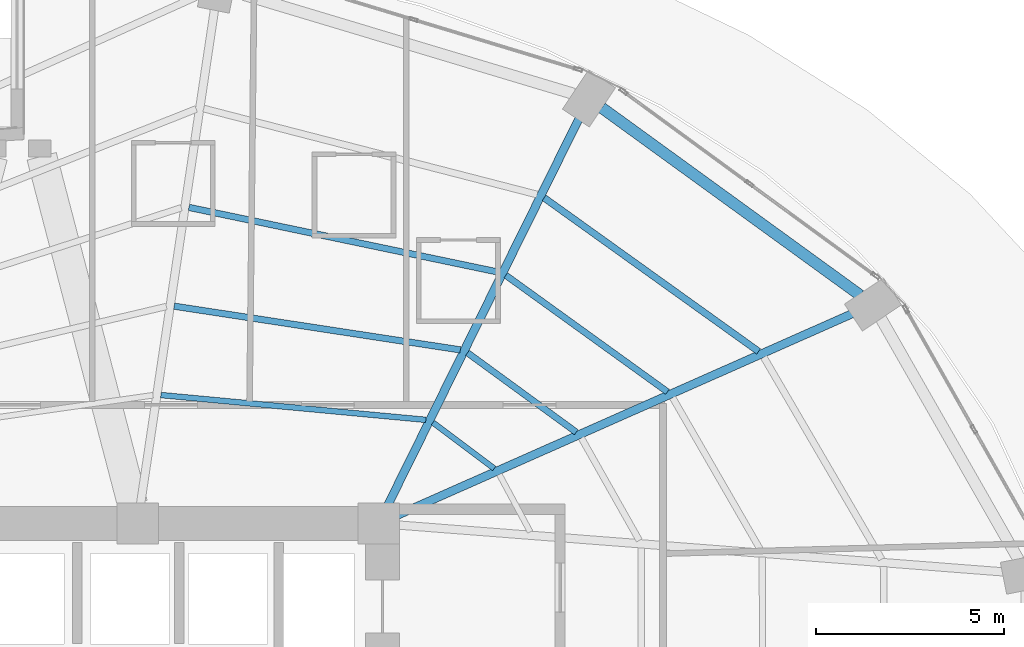
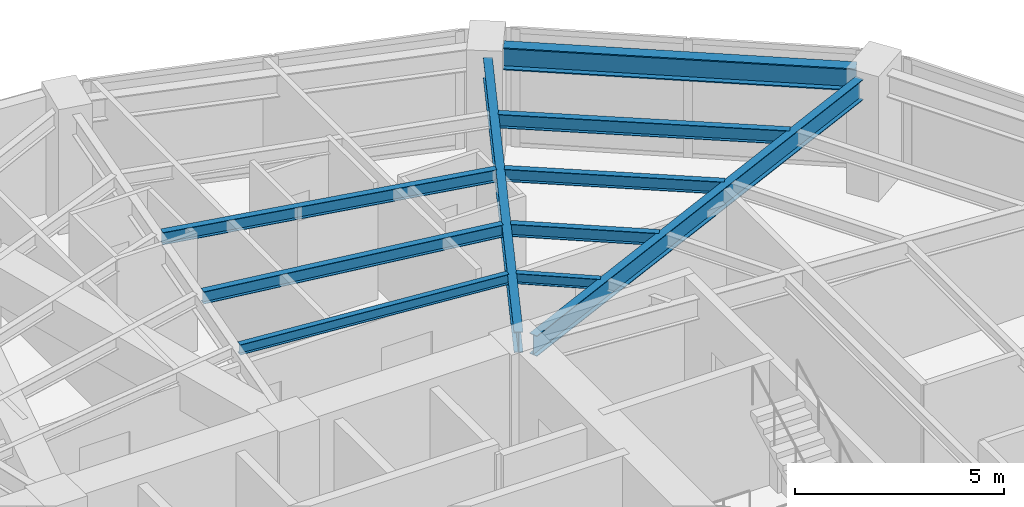
# One storey, part 16 of 25: 10 beams.
"""IFC4 building model written with IfcOpenShell, lengths in metres."""

from ifc_helpers import new_model, si_unit, direction, frame, origin, origin_2d, place, context, subcontext, project, spatial, i_section, extrude, material, material_profile, profile_set, type_object, element, save


model = new_model("IFC4")

# Units and contexts
model_context = context("Model", 3, precision=1e-05, world=origin(), true_north=direction((0.0, 1.0)))
body_context = subcontext(model_context, "Body", "Model", "MODEL_VIEW")
ifc_project = project(units=[si_unit("LENGTHUNIT", "METRE"), si_unit("AREAUNIT", "SQUARE_METRE"), si_unit("VOLUMEUNIT", "CUBIC_METRE"), si_unit("PLANEANGLEUNIT", "RADIAN"), si_unit("MASSUNIT", "GRAM", prefix="KILO")], contexts=[model_context])

# Site, building, storey
site_placement = place(None, origin())
site = spatial("IfcSite", under=ifc_project, at=site_placement, CompositionType="ELEMENT")
building_placement = place(site_placement, origin())
building = spatial("IfcBuilding", under=site, at=building_placement, Name="Lazwardi Medical Tower", CompositionType="ELEMENT")
storey_placement = place(building_placement, frame((0.0, 0.0, 25.199951171875)))
storey = spatial("IfcBuildingStorey", under=building, at=storey_placement, Name="L05", CompositionType="ELEMENT", Elevation=25.199951171875)

# Beams
ifc_material = material(Name="Steel S355", Category="steel")
ifc_material_profile_1 = material_profile(ifc_material, i_section(OverallWidth=0.300048828125, OverallDepth=0.64990234375, WebThickness=0.01611328125, FlangeThickness=0.031005859375, at=origin_2d()), Name="HEB 650")
ifc_profile_set_1 = profile_set([ifc_material_profile_1], Name="Steel S355")
beam_type_1 = type_object("IfcBeamType", Name="BM-RB-Z1", PredefinedType="BEAM", material=ifc_profile_set_1)
beam_1_placement = place(storey_placement, frame((58.3798828125, 41.660888671875, 3.10302734375), z_axis=(-0.809407079515, 0.587247971159, 0.0), x_axis=(-0.587247971159, -0.809407079515, 0.0)))
element("IfcBeam", 1, at=beam_1_placement, inside=storey, type_object=beam_type_1, Name="Ring beam RB-02 B06 L05", PredefinedType="BEAM", context=body_context, shape_type="SweptSolid", body=[
    extrude(i_section(OverallWidth=0.300048828125, OverallDepth=0.64990234375, WebThickness=0.01611328125, FlangeThickness=0.031005859375, at=origin_2d()), origin(), (0.0, 0.0, 1.0), 8.473876953125),
])
ifc_material_profile_2 = material_profile(ifc_material, i_section(OverallWidth=0.219970703125, OverallDepth=0.60009765625, WebThickness=0.011962890625, FlangeThickness=0.01904296875, at=origin_2d()), Name="IPE 600")
ifc_profile_set_2 = profile_set([ifc_material_profile_2], Name="Steel S355")
beam_type_2 = type_object("IfcBeamType", Name="BM-RG-W1", PredefinedType="BEAM", material=ifc_profile_set_2)
beam_2_placement = place(storey_placement, frame((58.189697265625, 41.17919921875, 3.1279296875), z_axis=(-0.914252189566, -0.405145571214, 0.0), x_axis=(0.405145571214, -0.914252189566, 0.0)))
element("IfcBeam", 2, at=beam_2_placement, inside=storey, type_object=beam_type_2, Name="Radial girder RG-02 R06 L05", PredefinedType="BEAM", context=body_context, shape_type="SweptSolid", body=[
    extrude(i_section(OverallWidth=0.219970703125, OverallDepth=0.60009765625, WebThickness=0.011962890625, FlangeThickness=0.01904296875, at=origin_2d()), origin(), (0.0, 0.0, 1.0), 13.235595703125),
])
beam_3_placement = place(storey_placement, frame((50.923828125, 46.364013671875, 3.1279296875), z_axis=(-0.443336723706, -0.896355146922, 0.0), x_axis=(0.896355146922, -0.443336723706, 0.0)))
element("IfcBeam", 3, at=beam_3_placement, inside=storey, type_object=beam_type_2, Name="Radial girder RG-02 R07 L05", PredefinedType="BEAM", context=body_context, shape_type="SweptSolid", body=[
    extrude(i_section(OverallWidth=0.219970703125, OverallDepth=0.60009765625, WebThickness=0.011962890625, FlangeThickness=0.01904296875, at=origin_2d()), origin(), (0.0, 0.0, 1.0), 11.4736328125),
])
ifc_material_profile_3 = material_profile(ifc_material, i_section(OverallWidth=0.179931640625, OverallDepth=0.39990234375, WebThickness=0.008544921875, FlangeThickness=0.013427734375, at=origin_2d()), Name="IPE 400")
ifc_profile_set_3 = profile_set([ifc_material_profile_3], Name="Steel S355")
beam_type_3 = type_object("IfcBeamType", Name="BM-SJ-01", PredefinedType="JOIST", material=ifc_profile_set_3)
beam_4_placement = place(storey_placement, frame((55.68408203125, 40.16796875, 3.22802734375), z_axis=(-0.812901036873, 0.582401840872, 0.0), x_axis=(-0.582401840872, -0.812901036873, 0.0)))
element("IfcBeam", 4, at=beam_4_placement, inside=storey, type_object=beam_type_3, Name="Secondary joist SJ-01 R1 B06 L05", PredefinedType="JOIST", context=body_context, shape_type="SweptSolid", body=[
    extrude(i_section(OverallWidth=0.179931640625, OverallDepth=0.39990234375, WebThickness=0.008544921875, FlangeThickness=0.013427734375, at=origin_2d()), origin(), (0.0, 0.0, 1.0), 7.002197265625),
])
ifc_material_profile_4 = material_profile(ifc_material, i_section(OverallWidth=0.169921875, OverallDepth=0.360107421875, WebThickness=0.008056640625, FlangeThickness=0.0126953125, at=origin_2d()), Name="IPE 360")
ifc_profile_set_4 = profile_set([ifc_material_profile_4], Name="Steel S355")
beam_type_4 = type_object("IfcBeamType", Name="BM-SJ-02", PredefinedType="JOIST", material=ifc_profile_set_4)
beam_5_placement = place(storey_placement, frame((53.26416015625, 39.095703125, 3.248046875), z_axis=(-0.811142764961, 0.584848198127, 0.0), x_axis=(-0.584848198127, -0.811142764961, 0.0)))
element("IfcBeam", 5, at=beam_5_placement, inside=storey, type_object=beam_type_4, Name="Secondary joist SJ-02 R2 B06 L05", PredefinedType="JOIST", context=body_context, shape_type="SweptSolid", body=[
    extrude(i_section(OverallWidth=0.169921875, OverallDepth=0.360107421875, WebThickness=0.008056640625, FlangeThickness=0.0126953125, at=origin_2d()), origin(), (0.0, 0.0, 1.0), 5.28857421875),
])
beam_6_placement = place(storey_placement, frame((48.786376953125, 42.271728515625, 3.248046875), z_axis=(-0.978809182847, 0.204774470026, 0.0), x_axis=(-0.204774470026, -0.978809182847, 0.0)))
element("IfcBeam", 6, at=beam_6_placement, inside=storey, type_object=beam_type_4, Name="Secondary joist SJ-02 R2 B07 L05", PredefinedType="JOIST", context=body_context, shape_type="SweptSolid", body=[
    extrude(i_section(OverallWidth=0.169921875, OverallDepth=0.360107421875, WebThickness=0.008056640625, FlangeThickness=0.0126953125, at=origin_2d()), origin(), (0.0, 0.0, 1.0), 8.40283203125),
])
beam_7_placement = place(storey_placement, frame((50.844482421875, 38.023681640625, 3.248046875), z_axis=(-0.80770129933, 0.589591902132, 0.0), x_axis=(-0.589591902132, -0.80770129933, 0.0)))
element("IfcBeam", 7, at=beam_7_placement, inside=storey, type_object=beam_type_4, Name="Secondary joist SJ-02 R3 B06 L05", PredefinedType="JOIST", context=body_context, shape_type="SweptSolid", body=[
    extrude(i_section(OverallWidth=0.169921875, OverallDepth=0.360107421875, WebThickness=0.008056640625, FlangeThickness=0.0126953125, at=origin_2d()), origin(), (0.0, 0.0, 1.0), 3.5751953125),
])
beam_8_placement = place(storey_placement, frame((47.76806640625, 40.209228515625, 3.248046875), z_axis=(-0.988535611365, 0.150987897074, 0.0), x_axis=(-0.150987897074, -0.988535611365, 0.0)))
element("IfcBeam", 8, at=beam_8_placement, inside=storey, type_object=beam_type_4, Name="Secondary joist SJ-02 R3 B07 L05", PredefinedType="JOIST", context=body_context, shape_type="SweptSolid", body=[
    extrude(i_section(OverallWidth=0.169921875, OverallDepth=0.360107421875, WebThickness=0.008056640625, FlangeThickness=0.0126953125, at=origin_2d()), origin(), (0.0, 0.0, 1.0), 7.68701171875),
])
ifc_material_profile_5 = material_profile(ifc_material, i_section(OverallWidth=0.14990234375, OverallDepth=0.300048828125, WebThickness=0.007080078125, FlangeThickness=0.0107421875, at=origin_2d()), Name="IPE 300")
ifc_profile_set_5 = profile_set([ifc_material_profile_5], Name="Steel S355")
beam_type_5 = type_object("IfcBeamType", Name="BM-SJ-03", PredefinedType="JOIST", material=ifc_profile_set_5)
beam_9_placement = place(storey_placement, frame((48.667236328125, 37.0595703125, 3.278076171875), z_axis=(-0.800115247939, 0.599846305328, 0.0), x_axis=(-0.599846305328, -0.800115247939, 0.0)))
element("IfcBeam", 9, at=beam_9_placement, inside=storey, type_object=beam_type_5, Name="Secondary joist SJ-03 R4 B06 L05", PredefinedType="JOIST", context=body_context, shape_type="SweptSolid", body=[
    extrude(i_section(OverallWidth=0.14990234375, OverallDepth=0.300048828125, WebThickness=0.007080078125, FlangeThickness=0.0107421875, at=origin_2d()), origin(), (0.0, 0.0, 1.0), 2.033447265625),
])
beam_10_placement = place(storey_placement, frame((46.851806640625, 38.35205078125, 3.278076171875), z_axis=(-0.995649263748, 0.093180167407, 0.0), x_axis=(-0.093180167407, -0.995649263748, 0.0)))
element("IfcBeam", 10, at=beam_10_placement, inside=storey, type_object=beam_type_5, Name="Secondary joist SJ-03 R4 B07 L05", PredefinedType="JOIST", context=body_context, shape_type="SweptSolid", body=[
    extrude(i_section(OverallWidth=0.14990234375, OverallDepth=0.300048828125, WebThickness=0.007080078125, FlangeThickness=0.0107421875, at=origin_2d()), origin(), (0.0, 0.0, 1.0), 7.06640625),
])

save(model, "model.ifc")
